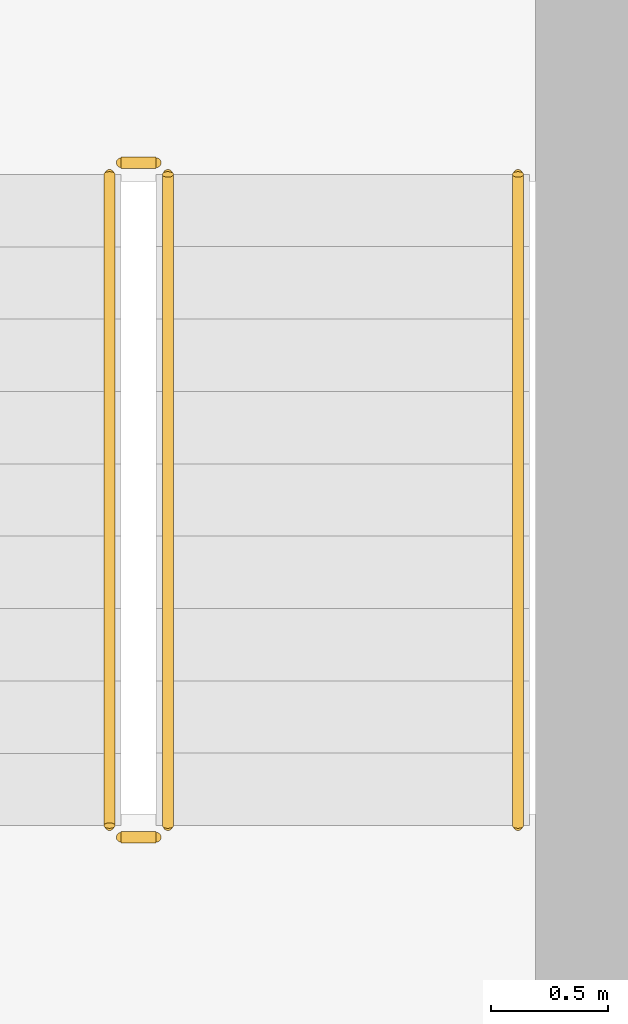
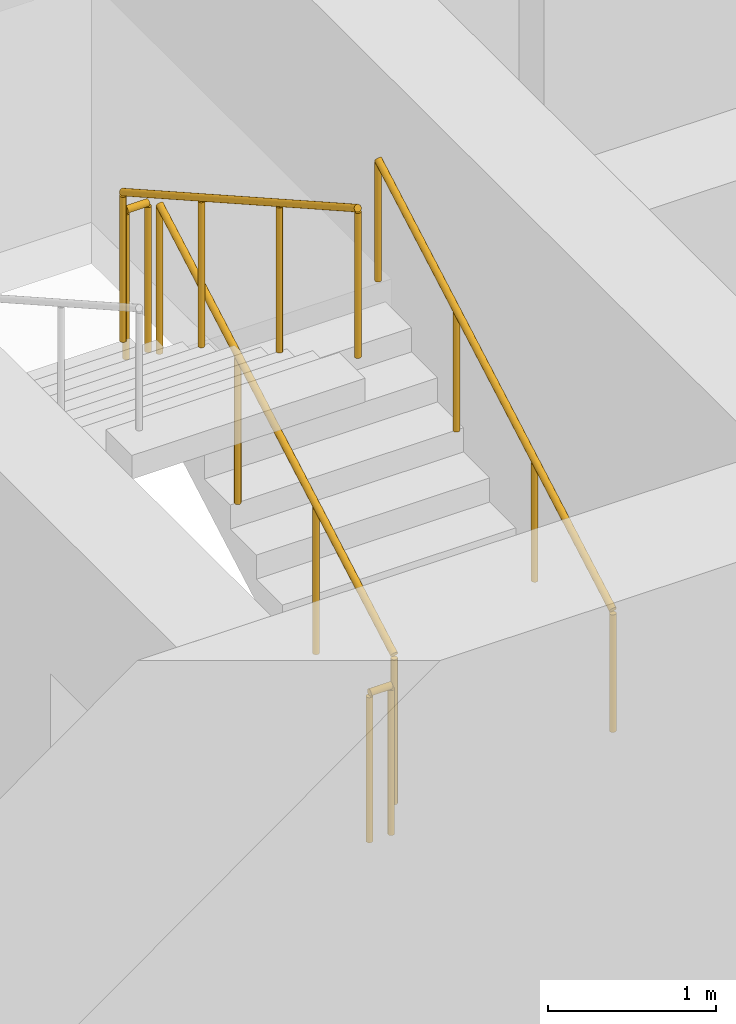
# One storey, part 18 of 22: 5 railings.
"""IFC4 building model written with IfcOpenShell, lengths in metres."""

from ifc_helpers import new_model, si_unit, direction, frame, origin, origin_2d, place, context, subcontext, project, spatial, circle, extrude, material, type_object, element, save


model = new_model("IFC4")

# Units and contexts
model_context = context("Model", 3, precision=1e-05, world=origin(), true_north=direction((0.0, 1.0)))
body_context = subcontext(model_context, "Body", "Model", "MODEL_VIEW")
ifc_project = project(units=[si_unit("LENGTHUNIT", "METRE"), si_unit("AREAUNIT", "SQUARE_METRE"), si_unit("VOLUMEUNIT", "CUBIC_METRE"), si_unit("PLANEANGLEUNIT", "RADIAN"), si_unit("MASSUNIT", "GRAM", prefix="KILO")], contexts=[model_context])

# Site, building, storey
site_placement = place(None, origin())
site = spatial("IfcSite", under=ifc_project, at=site_placement, CompositionType="ELEMENT")
building_placement = place(site_placement, origin())
building = spatial("IfcBuilding", under=site, at=building_placement, Name="Madar Terraces", CompositionType="ELEMENT")
storey_placement = place(building_placement, frame((0.0, 0.0, 69.800048828125)))
storey = spatial("IfcBuildingStorey", under=building, at=storey_placement, Name="L17", CompositionType="ELEMENT", Elevation=69.800048828125)

# Railings
ifc_material_1 = material(Name="Stainless steel railing", Category="steel")
railing_type_1 = type_object("IfcRailingType", Name="Stair guard 1100", PredefinedType="GUARDRAIL", material=ifc_material_1)
railing_1_placement = place(storey_placement, frame((21.199951171875, 17.60009765625, 0.175048828125)))
element("IfcRailing", 1, at=railing_1_placement, inside=storey, type_object=railing_type_1, Name="L17 ST1 stair guard 1", PredefinedType="GUARDRAIL", context=body_context, shape_type="SweptSolid", body=[
    extrude(circle(Radius=0.02392578125, at=origin_2d()), frame((0.0, 0.0, 1.076171875), z_axis=(0.0, 0.870815363784, 0.491610213684), x_axis=(-1.0, 0.0, 0.0)), (0.0, 0.0, 1.0), 3.20361328125),
    extrude(circle(Radius=0.02099609375, at=origin_2d()), origin(), (0.0, 0.0, 1.0), 1.052001953125),
    extrude(circle(Radius=0.02099609375, at=origin_2d()), frame((0.0, 0.929931640625, 0.52490234375)), (0.0, 0.0, 1.0), 1.052001953125),
    extrude(circle(Radius=0.02099609375, at=origin_2d()), frame((0.0, 1.85986328125, 1.050048828125)), (0.0, 0.0, 1.0), 1.052001953125),
    extrude(circle(Radius=0.02099609375, at=origin_2d()), frame((0.0, 2.789794921875, 1.574951171875)), (0.0, 0.0, 1.0), 1.052001953125),
])
railing_2_placement = place(storey_placement, frame((21.14990234375, 20.43994140625, 1.75)))
element("IfcRailing", 2, at=railing_2_placement, inside=storey, type_object=railing_type_1, Name="L17 ST1 stair guard 2", PredefinedType="GUARDRAIL", context=body_context, shape_type="SweptSolid", body=[
    extrude(circle(Radius=0.02392578125, at=origin_2d()), frame((0.0, 0.0, 1.076171875), z_axis=(-1.0, 0.0, 0.0), x_axis=(0.0, -1.0, 0.0)), (0.0, 0.0, 1.0), 0.14990234375),
    extrude(circle(Radius=0.02099609375, at=origin_2d()), origin(), (0.0, 0.0, 1.0), 1.052001953125),
    extrude(circle(Radius=0.02099609375, at=origin_2d()), frame((-0.14990234375, 0.0, 0.0)), (0.0, 0.0, 1.0), 1.052001953125),
])
railing_3_placement = place(storey_placement, frame((20.949951171875, 20.389892578125, 1.925048828125)))
element("IfcRailing", 3, at=railing_3_placement, inside=storey, type_object=railing_type_1, Name="L17 ST1 stair guard 3", PredefinedType="GUARDRAIL", context=body_context, shape_type="SweptSolid", body=[
    extrude(circle(Radius=0.02392578125, at=origin_2d()), frame((0.0, 0.0, 1.076171875), z_axis=(0.0, -0.870815363784, 0.491610213684), x_axis=(1.0, 0.0, 0.0)), (0.0, 0.0, 1.0), 3.20361328125),
    extrude(circle(Radius=0.02099609375, at=origin_2d()), origin(), (0.0, 0.0, 1.0), 1.052001953125),
    extrude(circle(Radius=0.02099609375, at=origin_2d()), frame((0.0, -0.929931640625, 0.52490234375)), (0.0, 0.0, 1.0), 1.052001953125),
    extrude(circle(Radius=0.02099609375, at=origin_2d()), frame((0.0, -1.85986328125, 1.050048828125)), (0.0, 0.0, 1.0), 1.052001953125),
    extrude(circle(Radius=0.02099609375, at=origin_2d()), frame((0.0, -2.789794921875, 1.574951171875)), (0.0, 0.0, 1.0), 1.052001953125),
])
railing_4_placement = place(storey_placement, frame((21.14990234375, 17.550048828125, 0.0)))
element("IfcRailing", 4, at=railing_4_placement, inside=storey, type_object=railing_type_1, Name="L17 ST1 stair guard 4", PredefinedType="GUARDRAIL", context=body_context, shape_type="SweptSolid", body=[
    extrude(circle(Radius=0.02392578125, at=origin_2d()), frame((0.0, 0.0, 1.076171875), z_axis=(-1.0, 0.0, 0.0), x_axis=(0.0, -1.0, 0.0)), (0.0, 0.0, 1.0), 0.14990234375),
    extrude(circle(Radius=0.02099609375, at=origin_2d()), origin(), (0.0, 0.0, 1.0), 1.052001953125),
    extrude(circle(Radius=0.02099609375, at=origin_2d()), frame((-0.14990234375, 0.0, 0.0)), (0.0, 0.0, 1.0), 1.052001953125),
])
ifc_material_2 = material(Name="Stainless steel railing", Category="steel")
railing_type_2 = type_object("IfcRailingType", Name="Stair handrail 900", PredefinedType="HANDRAIL", material=ifc_material_2)
railing_5_placement = place(storey_placement, frame((22.699951171875, 17.60009765625, 0.175048828125)))
element("IfcRailing", 5, at=railing_5_placement, inside=storey, type_object=railing_type_2, Name="L17 ST1 stair handrail 1", PredefinedType="HANDRAIL", context=body_context, shape_type="SweptSolid", body=[
    extrude(circle(Radius=0.02392578125, at=origin_2d()), frame((0.0, 0.0, 0.8759765625), z_axis=(0.0, 0.870815363784, 0.491610213684), x_axis=(-1.0, 0.0, 0.0)), (0.0, 0.0, 1.0), 3.20361328125),
    extrude(circle(Radius=0.02099609375, at=origin_2d()), origin(), (0.0, 0.0, 1.0), 0.851806640625),
    extrude(circle(Radius=0.02099609375, at=origin_2d()), frame((0.0, 0.929931640625, 0.52490234375)), (0.0, 0.0, 1.0), 0.851806640625),
    extrude(circle(Radius=0.02099609375, at=origin_2d()), frame((0.0, 1.85986328125, 1.050048828125)), (0.0, 0.0, 1.0), 0.851806640625),
    extrude(circle(Radius=0.02099609375, at=origin_2d()), frame((0.0, 2.789794921875, 1.574951171875)), (0.0, 0.0, 1.0), 0.851806640625),
])

save(model, "model.ifc")
